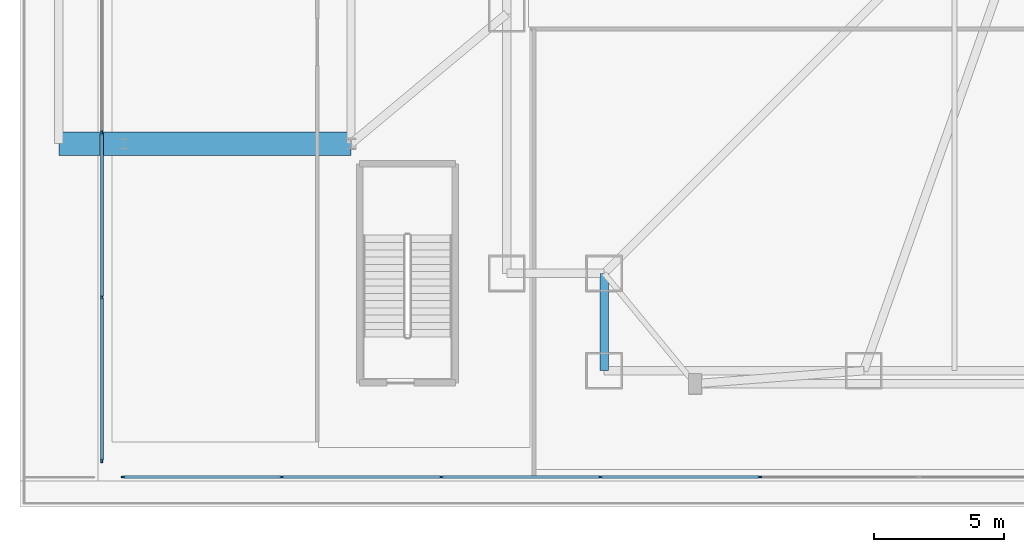
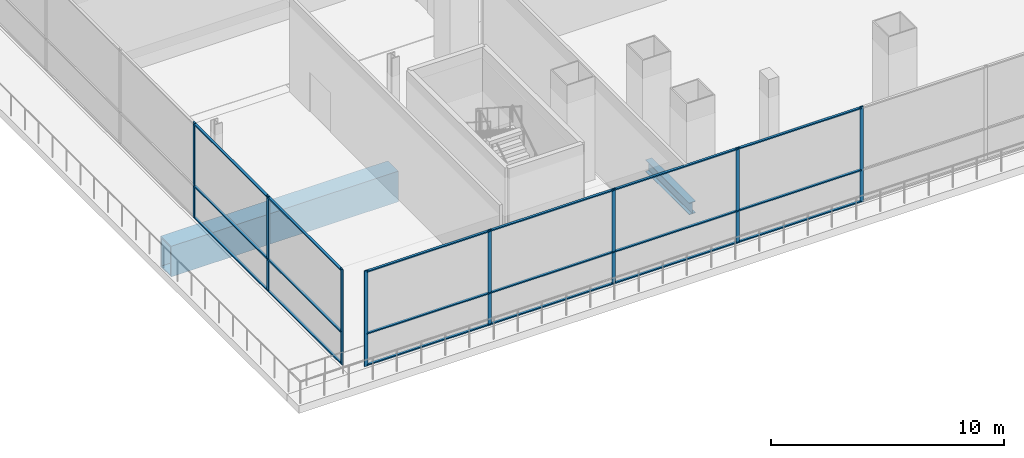
# One storey, part 4 of 36: 26 members, 2 beams, 2 elements without a shape of their own.
"""IFC4 building model written with IfcOpenShell, lengths in metres."""

from ifc_helpers import new_model, si_unit, direction, frame, origin, origin_2d, place, context, subcontext, project, spatial, rectangle, hollow_rectangle, i_section, extrude, material, layer, layer_set, material_profile, profile_set, type_object, element, aggregate, save


model = new_model("IFC4")

# Units and contexts
model_context = context("Model", 3, precision=1e-05, world=origin(), true_north=direction((0.0, 1.0)))
body_context = subcontext(model_context, "Body", "Model", "MODEL_VIEW")
ifc_project = project(units=[si_unit("LENGTHUNIT", "METRE"), si_unit("AREAUNIT", "SQUARE_METRE"), si_unit("VOLUMEUNIT", "CUBIC_METRE"), si_unit("PLANEANGLEUNIT", "RADIAN"), si_unit("MASSUNIT", "GRAM", prefix="KILO")], contexts=[model_context])

# Site, building, storey
site_placement = place(None, origin())
site = spatial("IfcSite", under=ifc_project, at=site_placement, CompositionType="ELEMENT")
building_placement = place(site_placement, origin())
building = spatial("IfcBuilding", under=site, at=building_placement, Name="Trevonay Congress Spire", CompositionType="ELEMENT")
storey_placement = place(building_placement, frame((0.0, 0.0, 5.39990234375)))
storey = spatial("IfcBuildingStorey", under=building, at=storey_placement, Name="L01", CompositionType="ELEMENT", Elevation=5.39990234375)

# Beams
ifc_material_1 = material(Name="Steel ASTM A572 Grade 50", Category="steel")
ifc_material_profile_1 = material_profile(ifc_material_1, i_section(OverallWidth=0.324951171875, OverallDepth=0.615966796875, WebThickness=0.013916015625, FlangeThickness=0.021484375, FilletRadius=0.01806640625, at=origin_2d()), Name="W610x174")
ifc_profile_set_1 = profile_set([ifc_material_profile_1], Name="Steel ASTM A572 Grade 50")
beam_type_1 = type_object("IfcBeamType", Name="BM-GIRD-W610X174", PredefinedType="BEAM", material=ifc_profile_set_1)
beam_1_placement = place(storey_placement, frame((-19.5, -23.25, -0.7080078125), z_axis=(0.0, 1.0, 0.0), x_axis=(-1.0, 0.0, 0.0)))
element("IfcBeam", 1, at=beam_1_placement, inside=storey, type_object=beam_type_1, Name="L01 structural beam BM-L01-CSW", PredefinedType="BEAM", context=body_context, shape_type="SweptSolid", body=[
    extrude(i_section(OverallWidth=0.324951171875, OverallDepth=0.615966796875, WebThickness=0.013916015625, FlangeThickness=0.021484375, FilletRadius=0.01806640625, at=origin_2d()), origin(), (0.0, 0.0, 1.0), 3.75),
])
ifc_material_profile_2 = material_profile(ifc_material_1, hollow_rectangle(XDim=0.89990234375, YDim=1.60009765625, WallThickness=0.06005859375, at=origin_2d()), Name="BOX 1600x900x60")
ifc_profile_set_2 = profile_set([ifc_material_profile_2], Name="Steel ASTM A572 Grade 50")
beam_type_2 = type_object("IfcBeamType", Name="BM-XFER-BOX1600", PredefinedType="BEAM", material=ifc_profile_set_2)
beam_2_placement = place(storey_placement, frame((-29.25, -14.5, -1.199951171875), z_axis=(-1.0, 0.0, 0.0), x_axis=(0.0, -1.0, 0.0)))
element("IfcBeam", 2, at=beam_2_placement, inside=storey, type_object=beam_type_2, Name="L01 structural beam BM-L01-EXW-S", PredefinedType="BEAM", context=body_context, shape_type="SweptSolid", body=[
    extrude(hollow_rectangle(XDim=0.89990234375, YDim=1.60009765625, WallThickness=0.06005859375, at=origin_2d()), origin(), (0.0, 0.0, 1.0), 11.25),
])

# Curtain wall, members
ifc_material_2 = material(Name="Pale Anodised Aluminium EN AW-6063-T6", Category="aluminium")
ifc_layer = layer(ifc_material_2, 0.179931640625, Name="Pale Anodised Aluminium EN AW-6063-T6")
ifc_layer_set = layer_set([ifc_layer], Name="Pale Anodised Aluminium EN AW-6063-T6")
curtain_wall_type = type_object("IfcCurtainWallType", Name="CW-SYS01-PODIUM-PALE-METAL", PredefinedType="NOTDEFINED", material=ifc_layer_set)
curtain_wall_1_placement = place(storey_placement, origin())
curtain_wall_1 = element("IfcCurtainWall", 3, at=curtain_wall_1_placement, inside=storey, type_object=curtain_wall_type, Name="L01 W1 podium curtain wall", PredefinedType="NOTDEFINED")
ifc_material_profile_3 = material_profile(ifc_material_2, rectangle(XDim=0.06005859375, YDim=0.159912109375, at=origin_2d()), Name="CW-MULLION-160-ALUMINIUM")
ifc_profile_set_3 = profile_set([ifc_material_profile_3], Name="Pale Anodised Aluminium EN AW-6063-T6")
member_type_1 = type_object("IfcMemberType", Name="CW-MULLION-160-ALUMINIUM", PredefinedType="MULLION", material=ifc_profile_set_3)
member_1_placement = place(storey_placement, frame((-38.85009765625, -26.719970703125, 0.0), z_axis=(0.0, 0.0, 1.0), x_axis=(-1.0, 0.0, 0.0)))
member_1 = element("IfcMember", 4, at=member_1_placement, type_object=member_type_1, Name="CW01 mullion 1", PredefinedType="MULLION", context=body_context, shape_type="SweptSolid", body=[
    extrude(rectangle(XDim=0.06005859375, YDim=0.159912109375, at=origin_2d()), origin(), (0.0, 0.0, 1.0), 5.0),
])
member_2_placement = place(storey_placement, frame((-38.85009765625, -20.419921875, 0.0), z_axis=(0.0, 0.0, 1.0), x_axis=(-1.0, 0.0, 0.0)))
member_2 = element("IfcMember", 5, at=member_2_placement, type_object=member_type_1, Name="CW01 mullion 2", PredefinedType="MULLION", context=body_context, shape_type="SweptSolid", body=[
    extrude(rectangle(XDim=0.06005859375, YDim=0.159912109375, at=origin_2d()), origin(), (0.0, 0.0, 1.0), 5.0),
])
member_3_placement = place(storey_placement, frame((-38.85009765625, -14.090087890625, 0.0), z_axis=(0.0, 0.0, 1.0), x_axis=(-1.0, 0.0, 0.0)))
member_3 = element("IfcMember", 6, at=member_3_placement, type_object=member_type_1, Name="CW01 mullion 3", PredefinedType="MULLION", context=body_context, shape_type="SweptSolid", body=[
    extrude(rectangle(XDim=0.06005859375, YDim=0.159912109375, at=origin_2d()), origin(), (0.0, 0.0, 1.0), 5.0),
])

curtain_wall_2_placement = place(storey_placement, origin())
curtain_wall_2 = element("IfcCurtainWall", 7, at=curtain_wall_2_placement, inside=storey, type_object=curtain_wall_type, Name="L01 S1 podium curtain wall", PredefinedType="NOTDEFINED")
member_4_placement = place(storey_placement, frame((-38.02001953125, -27.35009765625, 0.0), z_axis=(0.0, 0.0, 1.0), x_axis=(0.0, 1.0, 0.0)))
member_4 = element("IfcMember", 8, at=member_4_placement, type_object=member_type_1, Name="CW01 mullion 1", PredefinedType="MULLION", context=body_context, shape_type="SweptSolid", body=[
    extrude(rectangle(XDim=0.06005859375, YDim=0.159912109375, at=origin_2d()), origin(), (0.0, 0.0, 1.0), 5.0),
])
member_5_placement = place(storey_placement, frame((-31.914306640625, -27.35009765625, 0.0), z_axis=(0.0, 0.0, 1.0), x_axis=(0.0, 1.0, 0.0)))
member_5 = element("IfcMember", 9, at=member_5_placement, type_object=member_type_1, Name="CW01 mullion 2", PredefinedType="MULLION", context=body_context, shape_type="SweptSolid", body=[
    extrude(rectangle(XDim=0.06005859375, YDim=0.159912109375, at=origin_2d()), origin(), (0.0, 0.0, 1.0), 5.0),
])
member_6_placement = place(storey_placement, frame((-25.778564453125, -27.35009765625, 0.0), z_axis=(0.0, 0.0, 1.0), x_axis=(0.0, 1.0, 0.0)))
member_6 = element("IfcMember", 10, at=member_6_placement, type_object=member_type_1, Name="CW01 mullion 3", PredefinedType="MULLION", context=body_context, shape_type="SweptSolid", body=[
    extrude(rectangle(XDim=0.06005859375, YDim=0.159912109375, at=origin_2d()), origin(), (0.0, 0.0, 1.0), 5.0),
])
member_7_placement = place(storey_placement, frame((-19.642822265625, -27.35009765625, 0.0), z_axis=(0.0, 0.0, 1.0), x_axis=(0.0, 1.0, 0.0)))
member_7 = element("IfcMember", 11, at=member_7_placement, type_object=member_type_1, Name="CW01 mullion 4", PredefinedType="MULLION", context=body_context, shape_type="SweptSolid", body=[
    extrude(rectangle(XDim=0.06005859375, YDim=0.159912109375, at=origin_2d()), origin(), (0.0, 0.0, 1.0), 5.0),
])
member_8_placement = place(storey_placement, frame((-13.507080078125, -27.35009765625, 0.0), z_axis=(0.0, 0.0, 1.0), x_axis=(0.0, 1.0, 0.0)))
member_8 = element("IfcMember", 12, at=member_8_placement, type_object=member_type_1, Name="CW01 mullion 5", PredefinedType="MULLION", context=body_context, shape_type="SweptSolid", body=[
    extrude(rectangle(XDim=0.06005859375, YDim=0.159912109375, at=origin_2d()), origin(), (0.0, 0.0, 1.0), 5.0),
])

# Member
ifc_material_profile_4 = material_profile(ifc_material_2, rectangle(XDim=0.1201171875, YDim=0.06005859375, at=origin_2d()), Name="CW-TRANSOM-120-ALUMINIUM")
ifc_profile_set_4 = profile_set([ifc_material_profile_4], Name="Pale Anodised Aluminium EN AW-6063-T6")
member_type_2 = type_object("IfcMemberType", Name="CW-TRANSOM-120-ALUMINIUM", PredefinedType="USERDEFINED", material=ifc_profile_set_4)
member_9_placement = place(storey_placement, frame((-38.85009765625, -26.68994140625, 0.06005859375), z_axis=(0.0, 1.0, 0.0), x_axis=(-1.0, 0.0, 0.0)))
member_9 = element("IfcMember", 13, at=member_9_placement, type_object=member_type_2, Name="CW01 transom 1.1", ObjectType="TRANSOM", PredefinedType="USERDEFINED", context=body_context, shape_type="SweptSolid", body=[
    extrude(rectangle(XDim=0.1201171875, YDim=0.06005859375, at=origin_2d()), origin(), (0.0, 0.0, 1.0), 6.239990234375),
])

member_10_placement = place(storey_placement, frame((-38.85009765625, -26.68994140625, 1.7001953125), z_axis=(0.0, 1.0, 0.0), x_axis=(-1.0, 0.0, 0.0)))
member_10 = element("IfcMember", 14, at=member_10_placement, type_object=member_type_2, Name="CW01 transom 1.2", ObjectType="TRANSOM", PredefinedType="USERDEFINED", context=body_context, shape_type="SweptSolid", body=[
    extrude(rectangle(XDim=0.1201171875, YDim=0.06005859375, at=origin_2d()), origin(), (0.0, 0.0, 1.0), 6.239990234375),
])

member_11_placement = place(storey_placement, frame((-38.85009765625, -26.68994140625, 4.940185546875), z_axis=(0.0, 1.0, 0.0), x_axis=(-1.0, 0.0, 0.0)))
member_11 = element("IfcMember", 15, at=member_11_placement, type_object=member_type_2, Name="CW01 transom 1.3", ObjectType="TRANSOM", PredefinedType="USERDEFINED", context=body_context, shape_type="SweptSolid", body=[
    extrude(rectangle(XDim=0.1201171875, YDim=0.06005859375, at=origin_2d()), origin(), (0.0, 0.0, 1.0), 6.239990234375),
])

member_12_placement = place(storey_placement, frame((-38.85009765625, -20.389892578125, 0.06005859375), z_axis=(0.0, 1.0, 0.0), x_axis=(-1.0, 0.0, 0.0)))
member_12 = element("IfcMember", 16, at=member_12_placement, type_object=member_type_2, Name="CW01 transom 2.1", ObjectType="TRANSOM", PredefinedType="USERDEFINED", context=body_context, shape_type="SweptSolid", body=[
    extrude(rectangle(XDim=0.1201171875, YDim=0.06005859375, at=origin_2d()), origin(), (0.0, 0.0, 1.0), 6.269775390625),
])

member_13_placement = place(storey_placement, frame((-38.85009765625, -20.389892578125, 1.7001953125), z_axis=(0.0, 1.0, 0.0), x_axis=(-1.0, 0.0, 0.0)))
member_13 = element("IfcMember", 17, at=member_13_placement, type_object=member_type_2, Name="CW01 transom 2.2", ObjectType="TRANSOM", PredefinedType="USERDEFINED", context=body_context, shape_type="SweptSolid", body=[
    extrude(rectangle(XDim=0.1201171875, YDim=0.06005859375, at=origin_2d()), origin(), (0.0, 0.0, 1.0), 6.269775390625),
])

member_14_placement = place(storey_placement, frame((-38.85009765625, -20.389892578125, 4.940185546875), z_axis=(0.0, 1.0, 0.0), x_axis=(-1.0, 0.0, 0.0)))
member_14 = element("IfcMember", 18, at=member_14_placement, type_object=member_type_2, Name="CW01 transom 2.3", ObjectType="TRANSOM", PredefinedType="USERDEFINED", context=body_context, shape_type="SweptSolid", body=[
    extrude(rectangle(XDim=0.1201171875, YDim=0.06005859375, at=origin_2d()), origin(), (0.0, 0.0, 1.0), 6.269775390625),
])

aggregate(curtain_wall_1, [member_1, member_2, member_3, member_9, member_10, member_11, member_12, member_13, member_14])

member_15_placement = place(storey_placement, frame((-37.989990234375, -27.35009765625, 0.06005859375), z_axis=(1.0, 0.0, 0.0), x_axis=(0.0, 1.0, 0.0)))
member_15 = element("IfcMember", 19, at=member_15_placement, type_object=member_type_2, Name="CW01 transom 1.1", ObjectType="TRANSOM", PredefinedType="USERDEFINED", context=body_context, shape_type="SweptSolid", body=[
    extrude(rectangle(XDim=0.1201171875, YDim=0.06005859375, at=origin_2d()), origin(), (0.0, 0.0, 1.0), 6.045654296875),
])

member_16_placement = place(storey_placement, frame((-37.989990234375, -27.35009765625, 1.7001953125), z_axis=(1.0, 0.0, 0.0), x_axis=(0.0, 1.0, 0.0)))
member_16 = element("IfcMember", 20, at=member_16_placement, type_object=member_type_2, Name="CW01 transom 1.2", ObjectType="TRANSOM", PredefinedType="USERDEFINED", context=body_context, shape_type="SweptSolid", body=[
    extrude(rectangle(XDim=0.1201171875, YDim=0.06005859375, at=origin_2d()), origin(), (0.0, 0.0, 1.0), 6.045654296875),
])

member_17_placement = place(storey_placement, frame((-37.989990234375, -27.35009765625, 4.940185546875), z_axis=(1.0, 0.0, 0.0), x_axis=(0.0, 1.0, 0.0)))
member_17 = element("IfcMember", 21, at=member_17_placement, type_object=member_type_2, Name="CW01 transom 1.3", ObjectType="TRANSOM", PredefinedType="USERDEFINED", context=body_context, shape_type="SweptSolid", body=[
    extrude(rectangle(XDim=0.1201171875, YDim=0.06005859375, at=origin_2d()), origin(), (0.0, 0.0, 1.0), 6.045654296875),
])

member_18_placement = place(storey_placement, frame((-31.88427734375, -27.35009765625, 0.06005859375), z_axis=(1.0, 0.0, 0.0), x_axis=(0.0, 1.0, 0.0)))
member_18 = element("IfcMember", 22, at=member_18_placement, type_object=member_type_2, Name="CW01 transom 2.1", ObjectType="TRANSOM", PredefinedType="USERDEFINED", context=body_context, shape_type="SweptSolid", body=[
    extrude(rectangle(XDim=0.1201171875, YDim=0.06005859375, at=origin_2d()), origin(), (0.0, 0.0, 1.0), 6.07568359375),
])

member_19_placement = place(storey_placement, frame((-31.88427734375, -27.35009765625, 1.7001953125), z_axis=(1.0, 0.0, 0.0), x_axis=(0.0, 1.0, 0.0)))
member_19 = element("IfcMember", 23, at=member_19_placement, type_object=member_type_2, Name="CW01 transom 2.2", ObjectType="TRANSOM", PredefinedType="USERDEFINED", context=body_context, shape_type="SweptSolid", body=[
    extrude(rectangle(XDim=0.1201171875, YDim=0.06005859375, at=origin_2d()), origin(), (0.0, 0.0, 1.0), 6.07568359375),
])

member_20_placement = place(storey_placement, frame((-31.88427734375, -27.35009765625, 4.940185546875), z_axis=(1.0, 0.0, 0.0), x_axis=(0.0, 1.0, 0.0)))
member_20 = element("IfcMember", 24, at=member_20_placement, type_object=member_type_2, Name="CW01 transom 2.3", ObjectType="TRANSOM", PredefinedType="USERDEFINED", context=body_context, shape_type="SweptSolid", body=[
    extrude(rectangle(XDim=0.1201171875, YDim=0.06005859375, at=origin_2d()), origin(), (0.0, 0.0, 1.0), 6.07568359375),
])

member_21_placement = place(storey_placement, frame((-25.74853515625, -27.35009765625, 0.06005859375), z_axis=(1.0, 0.0, 0.0), x_axis=(0.0, 1.0, 0.0)))
member_21 = element("IfcMember", 25, at=member_21_placement, type_object=member_type_2, Name="CW01 transom 3.1", ObjectType="TRANSOM", PredefinedType="USERDEFINED", context=body_context, shape_type="SweptSolid", body=[
    extrude(rectangle(XDim=0.1201171875, YDim=0.06005859375, at=origin_2d()), origin(), (0.0, 0.0, 1.0), 6.07568359375),
])

member_22_placement = place(storey_placement, frame((-25.74853515625, -27.35009765625, 1.7001953125), z_axis=(1.0, 0.0, 0.0), x_axis=(0.0, 1.0, 0.0)))
member_22 = element("IfcMember", 26, at=member_22_placement, type_object=member_type_2, Name="CW01 transom 3.2", ObjectType="TRANSOM", PredefinedType="USERDEFINED", context=body_context, shape_type="SweptSolid", body=[
    extrude(rectangle(XDim=0.1201171875, YDim=0.06005859375, at=origin_2d()), origin(), (0.0, 0.0, 1.0), 6.07568359375),
])

member_23_placement = place(storey_placement, frame((-25.74853515625, -27.35009765625, 4.940185546875), z_axis=(1.0, 0.0, 0.0), x_axis=(0.0, 1.0, 0.0)))
member_23 = element("IfcMember", 27, at=member_23_placement, type_object=member_type_2, Name="CW01 transom 3.3", ObjectType="TRANSOM", PredefinedType="USERDEFINED", context=body_context, shape_type="SweptSolid", body=[
    extrude(rectangle(XDim=0.1201171875, YDim=0.06005859375, at=origin_2d()), origin(), (0.0, 0.0, 1.0), 6.07568359375),
])

member_24_placement = place(storey_placement, frame((-19.61279296875, -27.35009765625, 0.06005859375), z_axis=(1.0, 0.0, 0.0), x_axis=(0.0, 1.0, 0.0)))
member_24 = element("IfcMember", 28, at=member_24_placement, type_object=member_type_2, Name="CW01 transom 4.1", ObjectType="TRANSOM", PredefinedType="USERDEFINED", context=body_context, shape_type="SweptSolid", body=[
    extrude(rectangle(XDim=0.1201171875, YDim=0.06005859375, at=origin_2d()), origin(), (0.0, 0.0, 1.0), 6.07568359375),
])

member_25_placement = place(storey_placement, frame((-19.61279296875, -27.35009765625, 1.7001953125), z_axis=(1.0, 0.0, 0.0), x_axis=(0.0, 1.0, 0.0)))
member_25 = element("IfcMember", 29, at=member_25_placement, type_object=member_type_2, Name="CW01 transom 4.2", ObjectType="TRANSOM", PredefinedType="USERDEFINED", context=body_context, shape_type="SweptSolid", body=[
    extrude(rectangle(XDim=0.1201171875, YDim=0.06005859375, at=origin_2d()), origin(), (0.0, 0.0, 1.0), 6.07568359375),
])

member_26_placement = place(storey_placement, frame((-19.61279296875, -27.35009765625, 4.940185546875), z_axis=(1.0, 0.0, 0.0), x_axis=(0.0, 1.0, 0.0)))
member_26 = element("IfcMember", 30, at=member_26_placement, type_object=member_type_2, Name="CW01 transom 4.3", ObjectType="TRANSOM", PredefinedType="USERDEFINED", context=body_context, shape_type="SweptSolid", body=[
    extrude(rectangle(XDim=0.1201171875, YDim=0.06005859375, at=origin_2d()), origin(), (0.0, 0.0, 1.0), 6.07568359375),
])

aggregate(curtain_wall_2, [member_4, member_5, member_6, member_7, member_8, member_15, member_16, member_17, member_18, member_19, member_20, member_21, member_22, member_23, member_24, member_25, member_26])

save(model, "model.ifc")
